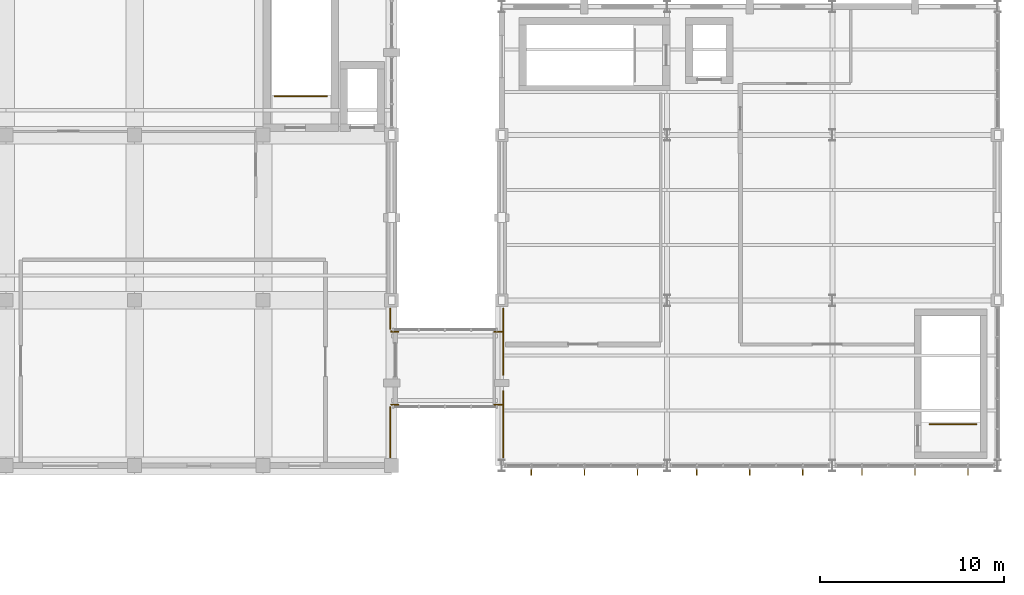
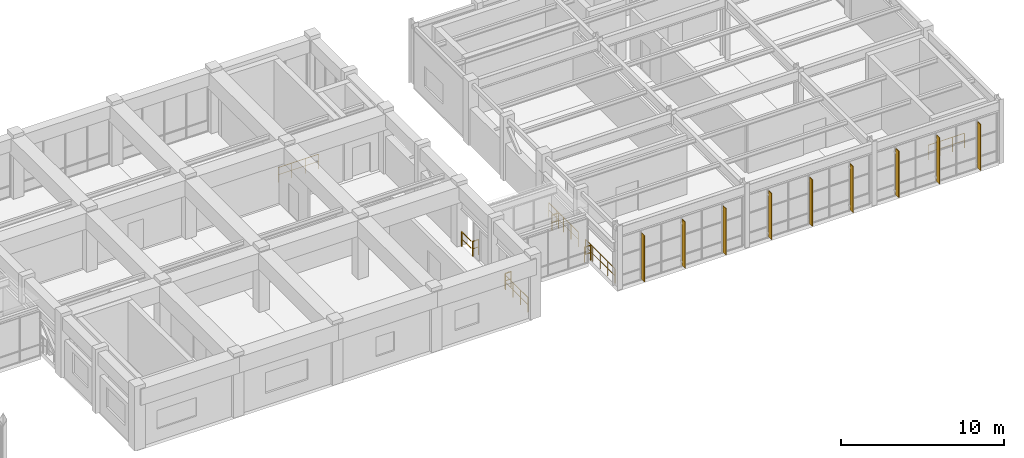
# One storey, part 98 of 99: 10 railings, 9 shading devices.
"""IFC4 building model written with IfcOpenShell, lengths in metres."""

from ifc_helpers import new_model, si_unit, direction, frame, origin, origin_2d, place, context, subcontext, project, spatial, rectangle, circle, extrude, material, type_object, element, save


model = new_model("IFC4")

# Units and contexts
model_context = context("Model", 3, precision=1e-05, world=origin(), true_north=direction((0.0, 1.0)))
body_context = subcontext(model_context, "Body", "Model", "MODEL_VIEW")
ifc_project = project(units=[si_unit("LENGTHUNIT", "METRE"), si_unit("AREAUNIT", "SQUARE_METRE"), si_unit("VOLUMEUNIT", "CUBIC_METRE"), si_unit("PLANEANGLEUNIT", "RADIAN"), si_unit("MASSUNIT", "GRAM", prefix="KILO")], contexts=[model_context])

# Site, building, storey
site_placement = place(None, origin())
site = spatial("IfcSite", under=ifc_project, at=site_placement, CompositionType="ELEMENT")
building_placement = place(site_placement, origin())
building = spatial("IfcBuilding", under=site, at=building_placement, Name="Ventoquebrada Cableway Terminal", CompositionType="ELEMENT")
storey_placement = place(building_placement, frame((0.0, 0.0, 9.60009765625)))
storey = spatial("IfcBuildingStorey", under=building, at=storey_placement, Name="L02", CompositionType="ELEMENT", Elevation=9.60009765625)

# Railings
ifc_material_1 = material(Name="Brushed stainless steel Grade 316", Category="steel")
railing_type_1 = type_object("IfcRailingType", Name="RL-GD01", PredefinedType="GUARDRAIL", material=ifc_material_1)
for number, where, name in (
    (1, (129.080078125, 77.443115234375, 0.0), "Open-edge guardrail GR-E098"),
    (2, (129.080078125, 81.943115234375, 0.0), "Open-edge guardrail GR-E099"),
):
    element("IfcRailing", number, at=place(storey_placement, frame(where)), inside=storey, type_object=railing_type_1, Name=name, PredefinedType="GUARDRAIL", context=body_context, shape_type="SweptSolid", body=[
        extrude(circle(Radius=0.02392578125, at=origin_2d()), frame((0.0, 0.001953125, 1.09619140625), z_axis=(0.0, 1.0, 0.0), x_axis=(-1.0, 0.0, 0.0)), (0.0, 0.0, 1.0), 3.60986328125),
        extrude(circle(Radius=0.01611328125, at=origin_2d()), frame((0.0, 0.001953125, 0.56005859375), z_axis=(0.0, 1.0, 0.0), x_axis=(-1.0, 0.0, 0.0)), (0.0, 0.0, 1.0), 3.60986328125),
        extrude(circle(Radius=0.02099609375, at=origin_2d()), origin(), (0.0, 0.0, 1.0), 1.072021484375),
        extrude(circle(Radius=0.02099609375, at=origin_2d()), frame((0.0, 0.9033203125, 0.0)), (0.0, 0.0, 1.0), 1.072021484375),
        extrude(circle(Radius=0.02099609375, at=origin_2d()), frame((0.0, 1.806884765625, 0.0)), (0.0, 0.0, 1.0), 1.072021484375),
        extrude(circle(Radius=0.02099609375, at=origin_2d()), frame((0.0, 2.71044921875, 0.0)), (0.0, 0.0, 1.0), 1.072021484375),
        extrude(circle(Radius=0.02099609375, at=origin_2d()), frame((0.0, 3.61376953125, 0.0)), (0.0, 0.0, 1.0), 1.072021484375),
    ])
railing_1_placement = place(storey_placement, frame((152.2880859375, 79.260009765625, 0.0)))
element("IfcRailing", 3, at=railing_1_placement, inside=storey, type_object=railing_type_1, Name="Open-edge guardrail GR-E100", PredefinedType="GUARDRAIL", context=body_context, shape_type="SweptSolid", body=[
    extrude(circle(Radius=0.02392578125, at=origin_2d()), frame((0.001953125, 0.0, 1.09619140625), z_axis=(1.0, 0.0, 0.0), x_axis=(0.0, 1.0, 0.0)), (0.0, 0.0, 1.0), 2.56298828125),
    extrude(circle(Radius=0.01611328125, at=origin_2d()), frame((0.001953125, 0.0, 0.56005859375), z_axis=(1.0, 0.0, 0.0), x_axis=(0.0, 1.0, 0.0)), (0.0, 0.0, 1.0), 2.56298828125),
    extrude(circle(Radius=0.02099609375, at=origin_2d()), origin(), (0.0, 0.0, 1.0), 1.072021484375),
    extrude(circle(Radius=0.02099609375, at=origin_2d()), frame((0.855712890625, 0.0, 0.0)), (0.0, 0.0, 1.0), 1.072021484375),
    extrude(circle(Radius=0.02099609375, at=origin_2d()), frame((1.711181640625, 0.0, 0.0)), (0.0, 0.0, 1.0), 1.072021484375),
    extrude(circle(Radius=0.02099609375, at=origin_2d()), frame((2.56689453125, 0.0, 0.0)), (0.0, 0.0, 1.0), 1.072021484375),
])
railing_2_placement = place(storey_placement, frame((122.919921875, 85.556884765625, 0.0)))
element("IfcRailing", 4, at=railing_2_placement, inside=storey, type_object=railing_type_1, Name="Open-edge guardrail GR-E104", PredefinedType="GUARDRAIL", context=body_context, shape_type="SweptSolid", body=[
    extrude(circle(Radius=0.02392578125, at=origin_2d()), frame((0.0, -0.001953125, 1.09619140625), z_axis=(0.0, -1.0, 0.0), x_axis=(1.0, 0.0, 0.0)), (0.0, 0.0, 1.0), 1.135009765625),
    extrude(circle(Radius=0.01611328125, at=origin_2d()), frame((0.0, -0.001953125, 0.56005859375), z_axis=(0.0, -1.0, 0.0), x_axis=(1.0, 0.0, 0.0)), (0.0, 0.0, 1.0), 1.135009765625),
    extrude(circle(Radius=0.02099609375, at=origin_2d()), origin(), (0.0, 0.0, 1.0), 1.072021484375),
    extrude(circle(Radius=0.02099609375, at=origin_2d()), frame((0.052978515625, -1.224853515625, 0.0)), (0.0, 0.0, 1.0), 1.072021484375),
])
railing_3_placement = place(storey_placement, frame((122.97998046875, 80.27197265625, 0.0)))
element("IfcRailing", 5, at=railing_3_placement, inside=storey, type_object=railing_type_1, Name="Open-edge guardrail GR-E105", PredefinedType="GUARDRAIL", context=body_context, shape_type="SweptSolid", body=[
    extrude(circle(Radius=0.02392578125, at=origin_2d()), frame((-0.06005859375, -0.083984375, 1.09619140625), z_axis=(0.0, -1.0, 0.0), x_axis=(1.0, 0.0, 0.0)), (0.0, 0.0, 1.0), 2.742919921875),
    extrude(circle(Radius=0.01611328125, at=origin_2d()), frame((-0.06005859375, -0.083984375, 0.56005859375), z_axis=(0.0, -1.0, 0.0), x_axis=(1.0, 0.0, 0.0)), (0.0, 0.0, 1.0), 2.742919921875),
    extrude(circle(Radius=0.02099609375, at=origin_2d()), frame((-0.06005859375, -0.08203125, 0.0)), (0.0, 0.0, 1.0), 1.072021484375),
    extrude(circle(Radius=0.02099609375, at=origin_2d()), frame((-0.06005859375, -0.99755859375, 0.0)), (0.0, 0.0, 1.0), 1.072021484375),
    extrude(circle(Radius=0.02099609375, at=origin_2d()), frame((-0.06005859375, -1.913330078125, 0.0)), (0.0, 0.0, 1.0), 1.072021484375),
    extrude(circle(Radius=0.02099609375, at=origin_2d()), frame((-0.06005859375, -2.828857421875, 0.0)), (0.0, 0.0, 1.0), 1.072021484375),
])
railing_4_placement = place(storey_placement, frame((116.6201171875, 97.110107421875, 0.0)))
element("IfcRailing", 6, at=railing_4_placement, inside=storey, type_object=railing_type_1, Name="Open-edge guardrail GR-E106", PredefinedType="GUARDRAIL", context=body_context, shape_type="SweptSolid", body=[
    extrude(circle(Radius=0.02392578125, at=origin_2d()), frame((0.001953125, 0.0, 1.09619140625), z_axis=(1.0, 0.0, 0.0), x_axis=(0.0, 1.0, 0.0)), (0.0, 0.0, 1.0), 2.85595703125),
    extrude(circle(Radius=0.01611328125, at=origin_2d()), frame((0.001953125, 0.0, 0.56005859375), z_axis=(1.0, 0.0, 0.0), x_axis=(0.0, 1.0, 0.0)), (0.0, 0.0, 1.0), 2.85595703125),
    extrude(circle(Radius=0.02099609375, at=origin_2d()), origin(), (0.0, 0.0, 1.0), 1.072021484375),
    extrude(circle(Radius=0.02099609375, at=origin_2d()), frame((0.953369140625, 0.0, 0.0)), (0.0, 0.0, 1.0), 1.072021484375),
    extrude(circle(Radius=0.02099609375, at=origin_2d()), frame((1.906494140625, 0.0, 0.0)), (0.0, 0.0, 1.0), 1.072021484375),
    extrude(circle(Radius=0.02099609375, at=origin_2d()), frame((2.85986328125, 0.0, 0.0)), (0.0, 0.0, 1.0), 1.072021484375),
])
railing_type_2 = type_object("IfcRailingType", Name="RL-GD02", PredefinedType="BALUSTRADE", material=ifc_material_1)
for number, where, name in (
    (7, (122.97998046875, 80.320068359375, 0.0), "Bridge end closure guardrail GR-B062"),
    (8, (122.97998046875, 84.280029296875, 0.0), "Bridge end closure guardrail GR-B063"),
):
    element("IfcRailing", number, at=place(storey_placement, frame(where)), inside=storey, type_object=railing_type_2, Name=name, PredefinedType="BALUSTRADE", context=body_context, shape_type="SweptSolid", body=[
        extrude(circle(Radius=0.02392578125, at=origin_2d()), frame((0.001953125, 0.0, 1.1259765625), z_axis=(1.0, 0.0, 0.0), x_axis=(0.0, 1.0, 0.0)), (0.0, 0.0, 1.0), 0.39599609375),
        extrude(circle(Radius=0.01611328125, at=origin_2d()), frame((0.001953125, 0.0, 0.574951171875), z_axis=(1.0, 0.0, 0.0), x_axis=(0.0, 1.0, 0.0)), (0.0, 0.0, 1.0), 0.39599609375),
        extrude(circle(Radius=0.02099609375, at=origin_2d()), origin(), (0.0, 0.0, 1.0), 1.101806640625),
        extrude(circle(Radius=0.02099609375, at=origin_2d()), frame((0.39990234375, 0.0, 0.0)), (0.0, 0.0, 1.0), 1.101806640625),
    ])
for number, where, name in (
    (9, (128.580078125, 80.320068359375, 0.0), "Bridge end closure guardrail GR-B064"),
    (10, (128.580078125, 84.280029296875, 0.0), "Bridge end closure guardrail GR-B065"),
):
    element("IfcRailing", number, at=place(storey_placement, frame(where)), inside=storey, type_object=railing_type_2, Name=name, PredefinedType="BALUSTRADE", context=body_context, shape_type="SweptSolid", body=[
        extrude(circle(Radius=0.02392578125, at=origin_2d()), frame((0.001953125, 0.0, 1.1259765625), z_axis=(1.0, 0.0, 0.0), x_axis=(0.0, 1.0, 0.0)), (0.0, 0.0, 1.0), 0.43603515625),
        extrude(circle(Radius=0.01611328125, at=origin_2d()), frame((0.001953125, 0.0, 0.574951171875), z_axis=(1.0, 0.0, 0.0), x_axis=(0.0, 1.0, 0.0)), (0.0, 0.0, 1.0), 0.43603515625),
        extrude(circle(Radius=0.02099609375, at=origin_2d()), origin(), (0.0, 0.0, 1.0), 1.101806640625),
        extrude(circle(Radius=0.02099609375, at=origin_2d()), frame((0.43994140625, 0.0, 0.0)), (0.0, 0.0, 1.0), 1.101806640625),
    ])

# Shading devices
ifc_material_2 = material(Name="Anodized thermally-broken aluminium", Category="aluminium")
shading_device_type = type_object("IfcShadingDeviceType", Name="SHD-AW1", PredefinedType="AWNING", material=ifc_material_2)
for number, where, z_axis, x_axis, name in (
    (11, (130.613037109375, 76.659912109375, 0.150390625), (0.0, 0.0, 1.0), (1.0, 0.0, 0.0), "Extruded aluminium sunshade fin FN-053"),
    (12, (133.5, 76.659912109375, 0.150390625), (0.0, 0.0, 1.0), (1.0, 0.0, 0.0), "Extruded aluminium sunshade fin FN-054"),
    (13, (136.386962890625, 76.659912109375, 0.150390625), (0.0, 0.0, 1.0), (1.0, 0.0, 0.0), "Extruded aluminium sunshade fin FN-055"),
    (14, (139.613037109375, 76.659912109375, 0.150390625), (0.0, 0.0, 1.0), (1.0, 0.0, 0.0), "Extruded aluminium sunshade fin FN-056"),
    (15, (142.5, 76.659912109375, 0.150390625), (0.0, 0.0, 1.0), (1.0, 0.0, 0.0), "Extruded aluminium sunshade fin FN-057"),
    (16, (145.386962890625, 76.659912109375, 0.150390625), (0.0, 0.0, 1.0), (1.0, 0.0, 0.0), "Extruded aluminium sunshade fin FN-058"),
    (17, (148.613037109375, 76.659912109375, 0.150390625), (0.0, 0.0, 1.0), (1.0, 0.0, 0.0), "Extruded aluminium sunshade fin FN-059"),
    (18, (151.5, 76.659912109375, 0.150390625), (0.0, 0.0, 1.0), (1.0, 0.0, 0.0), "Extruded aluminium sunshade fin FN-060"),
    (19, (154.386962890625, 76.659912109375, 0.150390625), (0.0, 0.0, 1.0), (1.0, 0.0, 0.0), "Extruded aluminium sunshade fin FN-061"),
):
    element("IfcShadingDevice", number, at=place(storey_placement, frame(where, z_axis=z_axis, x_axis=x_axis)), inside=storey, type_object=shading_device_type, Name=name, PredefinedType="AWNING", context=body_context, shape_type="SweptSolid", body=[
        extrude(rectangle(XDim=0.044921875, YDim=0.360107421875, at=origin_2d()), origin(), (0.0, 0.0, 1.0), 3.462890625),
    ])

save(model, "model.ifc")
